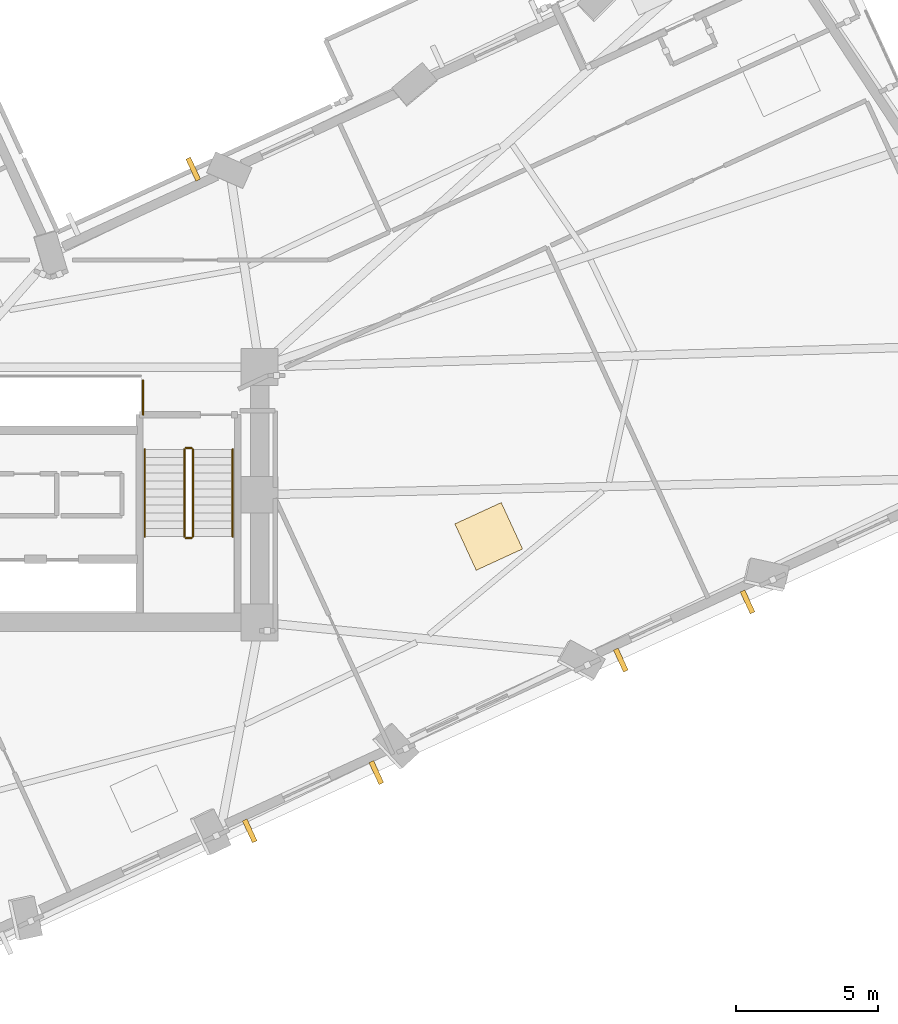
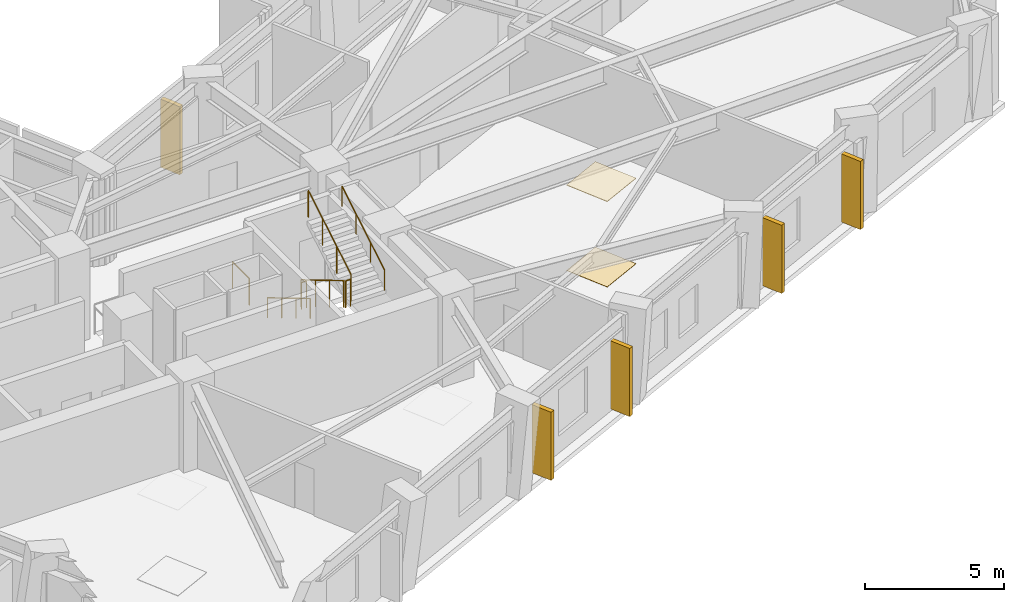
# One storey, part 13 of 16: 7 railings, 5 shading devices, 2 coverings.
"""IFC4 building model written with IfcOpenShell, lengths in metres."""

import ifcopenshell
import ifcopenshell.guid

model = None  # the IFC model being written
_history = None  # IfcOwnerHistory: only IFC2X3 demands one
_inside = {}  # id of a spatial element -> (the spatial element, [elements in it])
_under = {}  # id of a project, library or spatial element -> (it, [spatial elements below it])
_declared = {}  # id of a project -> (the project, [libraries it declares])
_typed = {}  # id of a type object -> (the type object, [elements of that type])
_made_of = {}  # id of a material, layer set ... -> (it, [elements and type objects made of it])


def new_model(schema):
    """Start an empty IFC model of exactly this schema.

    Asked for "IFC4X3", IfcOpenShell would pick the latest addendum, in which some entities
    have other attributes; the version numbers below select the first issue.
    IFC2X3 requires an IfcOwnerHistory on every rooted entity: one is made here for all.
    """
    global model, _history
    if schema == "IFC4X3":
        model = ifcopenshell.file(schema_version=(4, 3, 0, 0))
    else:
        model = ifcopenshell.file(schema=schema)
    _inside.clear()
    _under.clear()
    _declared.clear()
    _typed.clear()
    _made_of.clear()
    _history = None
    if model.schema == "IFC2X3":
        org = make("IfcOrganization", Name="unknown")
        user = make(
            "IfcPersonAndOrganization",
            ThePerson=make("IfcPerson", FamilyName="unknown"),
            TheOrganization=org,
        )
        app = make(
            "IfcApplication",
            ApplicationDeveloper=org,
            Version="unknown",
            ApplicationFullName="unknown",
            ApplicationIdentifier="unknown",
        )
        _history = make(
            "IfcOwnerHistory",
            OwningUser=user,
            OwningApplication=app,
            ChangeAction="ADDED",
            CreationDate=0,
        )
    return model


def make(cls, **values):
    """One entity of the class cls with the attributes given. An attribute that is None is left unset."""
    return model.create_entity(
        cls, **{name: value for name, value in values.items() if value is not None}
    )


def rooted(cls, **values):
    """An entity with a GlobalId (a new one), such as an element, a storey or a relation."""
    return make(cls, GlobalId=ifcopenshell.guid.new(), OwnerHistory=_history, **values)


def si_unit(unit_type, name, prefix=None):
    """IfcSIUnit, for example si_unit("LENGTHUNIT", "METRE", prefix="MILLI")."""
    return make("IfcSIUnit", UnitType=unit_type, Prefix=prefix, Name=name)


def assignment(units):
    """IfcUnitAssignment: the units of a project."""
    return None if units is None else make("IfcUnitAssignment", Units=units)


def point(xyz):
    """IfcCartesianPoint."""
    return None if xyz is None else make("IfcCartesianPoint", Coordinates=xyz)


def direction(xyz):
    """IfcDirection."""
    return None if xyz is None else make("IfcDirection", DirectionRatios=xyz)


def frame(location, z_axis=None, x_axis=None):
    """IfcAxis2Placement3D, a coordinate frame: its origin and axes. An axis left out is left unset."""
    return make(
        "IfcAxis2Placement3D",
        Location=point(location),
        Axis=direction(z_axis),
        RefDirection=direction(x_axis),
    )


def frame_2d(location, x_axis=None):
    """IfcAxis2Placement2D, a coordinate frame in the plane: its origin and x axis."""
    return make(
        "IfcAxis2Placement2D", Location=point(location), RefDirection=direction(x_axis)
    )


def origin():
    """The frame at (0, 0, 0) with its axes left unset."""
    return frame((0.0, 0.0, 0.0))


def origin_2d():
    """The frame at (0, 0) in the plane with its x axis left unset."""
    return frame_2d((0.0, 0.0))


def place(relative_to, where):
    """IfcLocalPlacement: puts the frame where relative to a parent placement (None: the world)."""
    return make(
        "IfcLocalPlacement", PlacementRelTo=relative_to, RelativePlacement=where
    )


def context(
    kind, dimensions, precision=None, world=None, true_north=None, identifier=None
):
    """IfcGeometricRepresentationContext, for example the 3D "Model" context."""
    return make(
        "IfcGeometricRepresentationContext",
        ContextIdentifier=identifier,
        ContextType=kind,
        CoordinateSpaceDimension=dimensions,
        Precision=precision,
        WorldCoordinateSystem=world,
        TrueNorth=true_north,
    )


def subcontext(parent, identifier, kind, view, scale=None):
    """IfcGeometricRepresentationSubContext, for example "Body" below "Model"."""
    return make(
        "IfcGeometricRepresentationSubContext",
        ContextIdentifier=identifier,
        ContextType=kind,
        ParentContext=parent,
        TargetScale=scale,
        TargetView=view,
    )


def project(units=None, contexts=None):
    """IfcProject with its units and contexts."""
    return rooted(
        "IfcProject",
        Name="project",
        RepresentationContexts=contexts,
        UnitsInContext=assignment(units),
    )


def spatial(cls, under=None, at=None, **own):
    """A site, building, storey or space (cls), placed at a placement, below another one or the project."""
    s = rooted(cls, ObjectPlacement=at, **own)
    if under is not None:
        _under.setdefault(under.id(), (under, []))[1].append(s)
    return s


def profile(cls, at=None, kind="AREA", **sizes):
    """A parametric profile (cls). Its sizes go by their IFC names, for example OverallWidth=200.0."""
    return make(cls, ProfileType=kind, Position=at, **sizes)


def rectangle(**sizes):
    """IfcRectangleProfileDef."""
    return profile("IfcRectangleProfileDef", **sizes)


def circle(**sizes):
    """IfcCircleProfileDef."""
    return profile("IfcCircleProfileDef", **sizes)


def extrude(swept, where, along, depth):
    """IfcExtrudedAreaSolid: the profile swept, set in the frame where, extruded along a direction by depth."""
    return make(
        "IfcExtrudedAreaSolid",
        SweptArea=swept,
        Position=where,
        ExtrudedDirection=direction(along),
        Depth=depth,
    )


def shape(context_of_items, identifier, shape_type, items):
    """IfcShapeRepresentation: the items that make up one representation, for example the "Body"."""
    return make(
        "IfcShapeRepresentation",
        ContextOfItems=context_of_items,
        RepresentationIdentifier=identifier,
        RepresentationType=shape_type,
        Items=items,
    )


def material(Name=None, Category=None):
    """IfcMaterial."""
    return make("IfcMaterial", Name=Name, Category=Category)


def layer(
    of_material, thickness, ventilated=None, Name=None, Category=None, Priority=None
):
    """IfcMaterialLayer: one layer of a wall or slab, of a material (None: an air gap)."""
    return make(
        "IfcMaterialLayer",
        Material=of_material,
        LayerThickness=thickness,
        IsVentilated=ventilated,
        Name=Name,
        Category=Category,
        Priority=Priority,
    )


def layer_set(layers, Name=None):
    """IfcMaterialLayerSet."""
    return make("IfcMaterialLayerSet", MaterialLayers=layers, LayerSetName=Name)


def made_of(thing, what):
    """Note that an element or type object is made of a material, layer set ...; save() writes the relation."""
    if what is not None:
        _made_of.setdefault(what.id(), (what, []))[1].append(thing)
    return thing


def type_object(cls, material=None, **own):
    """A type object (cls), such as IfcWallType, which elements share."""
    return made_of(rooted(cls, **own), material)


def element(
    cls,
    number,
    at=None,
    inside=None,
    cuts=None,
    type_object=None,
    material=None,
    context=None,
    identifier="Body",
    shape_type=None,
    held_by="IfcProductDefinitionShape",
    body=None,
    shapes=None,
    **own,
):
    """One element of the class cls, such as IfcWall. Its Tag is "e" and its number.

    at: its placement. inside: the storey or other place that contains it. cuts: it is an
    opening in that element (IfcRelVoidsElement). A single representation is given by context,
    identifier, shape_type and body (its items); several are given by shapes. held_by: the class
    of the entity that holds the representations. save() writes the other relations.
    """
    e = rooted(cls, Tag="e%d" % number, ObjectPlacement=at, **own)
    if body is not None:
        shapes = [shape(context, identifier, shape_type, body)]
    if shapes is not None:
        e.Representation = make(held_by, Representations=shapes)
    if inside is not None:
        _inside.setdefault(inside.id(), (inside, []))[1].append(e)
    if cuts is not None:
        rooted(
            "IfcRelVoidsElement", RelatingBuildingElement=cuts, RelatedOpeningElement=e
        )
    if type_object is not None:
        _typed.setdefault(type_object.id(), (type_object, []))[1].append(e)
    return made_of(e, material)


def aggregate(whole, parts):
    """IfcRelAggregates: a whole, such as a stair, and the parts it consists of."""
    return rooted("IfcRelAggregates", RelatingObject=whole, RelatedObjects=parts)


def save(model, path):
    """Write the relations noted so far, then the file.

    IfcRelAggregates (storeys below a building ...), IfcRelContainedInSpatialStructure (elements
    in a storey), IfcRelDefinesByType, IfcRelAssociatesMaterial and IfcRelDeclares: one each for
    every whole, place, type object, material and project.
    """
    for whole, parts in _under.values():
        aggregate(whole, parts)
    for where, things in _inside.values():
        rooted(
            "IfcRelContainedInSpatialStructure",
            RelatedElements=things,
            RelatingStructure=where,
        )
    for kind, things in _typed.values():
        rooted("IfcRelDefinesByType", RelatedObjects=things, RelatingType=kind)
    for what, things in _made_of.values():
        rooted("IfcRelAssociatesMaterial", RelatedObjects=things, RelatingMaterial=what)
    for by, libraries in _declared.values():
        rooted("IfcRelDeclares", RelatingContext=by, RelatedDefinitions=libraries)
    model.write(path)


model = new_model("IFC4")

# Units and contexts
model_context = context("Model", 3, precision=1e-05, world=origin(), true_north=direction((0.0, 1.0)))
body_context = subcontext(model_context, "Body", "Model", "MODEL_VIEW")
ifc_project = project(units=[si_unit("LENGTHUNIT", "METRE"), si_unit("AREAUNIT", "SQUARE_METRE"), si_unit("VOLUMEUNIT", "CUBIC_METRE"), si_unit("PLANEANGLEUNIT", "RADIAN"), si_unit("MASSUNIT", "GRAM", prefix="KILO")], contexts=[model_context])

# Site, building, storey
site_placement = place(None, origin())
site = spatial("IfcSite", under=ifc_project, at=site_placement, CompositionType="ELEMENT")
building_placement = place(site_placement, origin())
building = spatial("IfcBuilding", under=site, at=building_placement, Name="Gaonmaruhae Medical Tower", CompositionType="ELEMENT")
storey_placement = place(building_placement, frame((0.0, 0.0, 128.39990234375)))
storey = spatial("IfcBuildingStorey", under=building, at=storey_placement, Name="L30", CompositionType="ELEMENT", Elevation=128.39990234375)

# Coverings
ifc_material_1 = material(Name="Acoustic mineral ceiling tile", Category="finish")
ifc_layer_1 = layer(ifc_material_1, 0.02490234375)
ifc_layer_set_1 = layer_set([ifc_layer_1], Name="Acoustic mineral ceiling tile")
covering_type_1 = type_object("IfcCoveringType", Name="CLG-01 Antimicrobial Acoustic Mineral Ceiling", PredefinedType="CEILING", material=ifc_layer_set_1)
covering_1_placement = place(storey_placement, frame((43.680419921875, 10.82861328125, 3.755126953125), z_axis=(0.0, 0.0, 1.0), x_axis=(0.908508177527, 0.417867073801, 0.0)))
element("IfcCovering", 1, at=covering_1_placement, inside=storey, type_object=covering_type_1, Name="L30 Clinical Room Acoustic Ceiling 4", PredefinedType="CEILING", context=body_context, shape_type="SweptSolid", body=[
    extrude(rectangle(XDim=1.800048828125, YDim=1.800048828125, at=origin_2d()), origin(), (0.0, 0.0, 1.0), 0.02490234375),
])
ifc_material_2 = material(Name="Seamless clinical vinyl flooring", Category="finish")
ifc_layer_2 = layer(ifc_material_2, 0.014892578125)
ifc_layer_set_2 = layer_set([ifc_layer_2], Name="Seamless clinical vinyl flooring")
covering_type_2 = type_object("IfcCoveringType", Name="FLR-01 Seamless Clinical Antistatic Vinyl Flooring", PredefinedType="FLOORING", material=ifc_layer_set_2)
covering_2_placement = place(storey_placement, frame((43.680419921875, 10.82861328125, 0.0), z_axis=(0.0, 0.0, 1.0), x_axis=(0.908508177527, 0.417867073801, 0.0)))
element("IfcCovering", 2, at=covering_2_placement, inside=storey, type_object=covering_type_2, Name="L30 Clinical Room Vinyl Flooring 4", PredefinedType="FLOORING", context=body_context, shape_type="SweptSolid", body=[
    extrude(rectangle(XDim=1.800048828125, YDim=1.800048828125, at=origin_2d()), origin(), (0.0, 0.0, 1.0), 0.014892578125),
])

# Railings
ifc_material_3 = material(Name="Stainless steel 304 handrail", Category="steel")
railing_type_1 = type_object("IfcRailingType", Name="HR-092 Continuous Stainless Steel Stair Handrail", PredefinedType="HANDRAIL", material=ifc_material_3)
railing_1_placement = place(storey_placement, frame((31.550048828125, 13.89990234375, 0.166748046875)))
element("IfcRailing", 3, at=railing_1_placement, inside=storey, type_object=railing_type_1, Name="L30 ST-02 stair handrail 1", PredefinedType="HANDRAIL", context=body_context, shape_type="SweptSolid", body=[
    extrude(circle(Radius=0.02392578125, at=origin_2d()), frame((0.0, 0.0, 0.8759765625), z_axis=(0.0, -0.859290745958, 0.51148745235), x_axis=(1.0, 0.0, 0.0)), (0.0, 0.0, 1.0), 3.584228515625),
    extrude(circle(Radius=0.02099609375, at=origin_2d()), origin(), (0.0, 0.0, 1.0), 0.851806640625),
    extrude(circle(Radius=0.02099609375, at=origin_2d()), frame((0.0, -1.026611328125, 0.611083984375)), (0.0, 0.0, 1.0), 0.851806640625),
    extrude(circle(Radius=0.02099609375, at=origin_2d()), frame((0.0, -2.05322265625, 1.22216796875)), (0.0, 0.0, 1.0), 0.851806640625),
    extrude(circle(Radius=0.02099609375, at=origin_2d()), frame((0.0, -3.079833984375, 1.833251953125)), (0.0, 0.0, 1.0), 0.851806640625),
])
railing_2_placement = place(storey_placement, frame((34.64990234375, 10.820068359375, 2.166748046875)))
element("IfcRailing", 4, at=railing_2_placement, inside=storey, type_object=railing_type_1, Name="L30 ST-02 stair handrail 2", PredefinedType="HANDRAIL", context=body_context, shape_type="SweptSolid", body=[
    extrude(circle(Radius=0.02392578125, at=origin_2d()), frame((0.0, 0.0, 0.8759765625), z_axis=(0.0, 0.859290745958, 0.51148745235), x_axis=(-1.0, 0.0, 0.0)), (0.0, 0.0, 1.0), 3.584228515625),
    extrude(circle(Radius=0.02099609375, at=origin_2d()), origin(), (0.0, 0.0, 1.0), 0.851806640625),
    extrude(circle(Radius=0.02099609375, at=origin_2d()), frame((0.0, 1.026611328125, 0.611083984375)), (0.0, 0.0, 1.0), 0.851806640625),
    extrude(circle(Radius=0.02099609375, at=origin_2d()), frame((0.0, 2.05322265625, 1.22216796875)), (0.0, 0.0, 1.0), 0.851806640625),
    extrude(circle(Radius=0.02099609375, at=origin_2d()), frame((0.0, 3.079833984375, 1.833251953125)), (0.0, 0.0, 1.0), 0.851806640625),
])

# Shading devices
ifc_material_4 = material(Name="Pigmented coral precast concrete C45/55", Category="concrete")
shading_device_type = type_object("IfcShadingDeviceType", Name="SD-FIN1 Tower Vertical Coral Precast Shading Fin", PredefinedType="USERDEFINED", material=ifc_material_4)
for number, where, z_axis, x_axis, name in (
    (5, (39.716796875, 2.500732421875, 0.08251953125), (0.0, 0.0, 1.0), (-0.908500884232, -0.417882930196, 0.0), "L30 Vertical Coral Precast Shading Fin S03"),
    (6, (35.251953125, 0.447265625, 0.08251953125), (0.0, 0.0, 1.0), (-0.908500884232, -0.417882930196, 0.0), "L30 Vertical Coral Precast Shading Fin S03B"),
    (7, (52.806640625, 8.521484375, 0.08251953125), (0.0, 0.0, 1.0), (-0.908508177527, -0.417867073801, 0.0), "L30 Vertical Coral Precast Shading Fin S05"),
    (8, (48.33837890625, 6.46630859375, 0.08251953125), (0.0, 0.0, 1.0), (-0.908508177527, -0.417867073801, 0.0), "L30 Vertical Coral Precast Shading Fin S05B"),
    (9, (33.26025390625, 23.77978515625, 0.08251953125), (0.0, 0.0, 1.0), (0.908508177527, 0.417867073801, 0.0), "L30 Vertical Coral Precast Shading Fin EN03B"),
):
    element("IfcShadingDevice", number, at=place(storey_placement, frame(where, z_axis=z_axis, x_axis=x_axis)), inside=storey, type_object=shading_device_type, Name=name, ObjectType="FIN", PredefinedType="USERDEFINED", context=body_context, shape_type="SweptSolid", body=[
        extrude(rectangle(XDim=0.179931640625, YDim=0.85009765625, at=origin_2d()), origin(), (0.0, 0.0, 1.0), 3.0),
    ])

# Railings
ifc_material_5 = material(Name="Stainless steel 304 balustrade", Category="steel")
railing_type_2 = type_object("IfcRailingType", Name="SG-112 Stair Well & Ramp Void Safety Balustrade", PredefinedType="BALUSTRADE", material=ifc_material_5)
railing_3_placement = place(storey_placement, frame((32.949951171875, 13.89990234375, 0.166748046875)))
element("IfcRailing", 10, at=railing_3_placement, inside=storey, type_object=railing_type_2, Name="L30 ST-02 stair guard 1", PredefinedType="BALUSTRADE", context=body_context, shape_type="SweptSolid", body=[
    extrude(circle(Radius=0.02392578125, at=origin_2d()), frame((0.0, 0.0, 1.17578125), z_axis=(0.0, -0.859290745958, 0.51148745235), x_axis=(1.0, 0.0, 0.0)), (0.0, 0.0, 1.0), 3.584228515625),
    extrude(circle(Radius=0.02099609375, at=origin_2d()), origin(), (0.0, 0.0, 1.0), 1.15185546875),
    extrude(circle(Radius=0.02099609375, at=origin_2d()), frame((0.0, -1.026611328125, 0.611083984375)), (0.0, 0.0, 1.0), 1.15185546875),
    extrude(circle(Radius=0.02099609375, at=origin_2d()), frame((0.0, -2.05322265625, 1.22216796875)), (0.0, 0.0, 1.0), 1.15185546875),
    extrude(circle(Radius=0.02099609375, at=origin_2d()), frame((0.0, -3.079833984375, 1.833251953125)), (0.0, 0.0, 1.0), 1.15185546875),
])
railing_4_placement = place(storey_placement, frame((33.0, 10.77001953125, 2.0)))
element("IfcRailing", 11, at=railing_4_placement, inside=storey, type_object=railing_type_2, Name="L30 ST-02 stair guard 2", PredefinedType="BALUSTRADE", context=body_context, shape_type="SweptSolid", body=[
    extrude(circle(Radius=0.02392578125, at=origin_2d()), frame((0.0, 0.0, 1.17578125), z_axis=(1.0, 0.0, 0.0), x_axis=(0.0, 1.0, 0.0)), (0.0, 0.0, 1.0), 0.199951171875),
    extrude(circle(Radius=0.02099609375, at=origin_2d()), origin(), (0.0, 0.0, 1.0), 1.15185546875),
    extrude(circle(Radius=0.02099609375, at=origin_2d()), frame((0.199951171875, 0.0, 0.0)), (0.0, 0.0, 1.0), 1.15185546875),
])
railing_5_placement = place(storey_placement, frame((33.25, 10.820068359375, 2.166748046875)))
element("IfcRailing", 12, at=railing_5_placement, inside=storey, type_object=railing_type_2, Name="L30 ST-02 stair guard 3", PredefinedType="BALUSTRADE", context=body_context, shape_type="SweptSolid", body=[
    extrude(circle(Radius=0.02392578125, at=origin_2d()), frame((0.0, 0.0, 1.17578125), z_axis=(0.0, 0.859290745958, 0.51148745235), x_axis=(-1.0, 0.0, 0.0)), (0.0, 0.0, 1.0), 3.584228515625),
    extrude(circle(Radius=0.02099609375, at=origin_2d()), origin(), (0.0, 0.0, 1.0), 1.15185546875),
    extrude(circle(Radius=0.02099609375, at=origin_2d()), frame((0.0, 1.026611328125, 0.611083984375)), (0.0, 0.0, 1.0), 1.15185546875),
    extrude(circle(Radius=0.02099609375, at=origin_2d()), frame((0.0, 2.05322265625, 1.22216796875)), (0.0, 0.0, 1.0), 1.15185546875),
    extrude(circle(Radius=0.02099609375, at=origin_2d()), frame((0.0, 3.079833984375, 1.833251953125)), (0.0, 0.0, 1.0), 1.15185546875),
])
railing_6_placement = place(storey_placement, frame((33.0, 13.949951171875, 0.0)))
element("IfcRailing", 13, at=railing_6_placement, inside=storey, type_object=railing_type_2, Name="L30 ST-02 stair guard 4", PredefinedType="BALUSTRADE", context=body_context, shape_type="SweptSolid", body=[
    extrude(circle(Radius=0.02392578125, at=origin_2d()), frame((0.0, 0.0, 1.17578125), z_axis=(1.0, 0.0, 0.0), x_axis=(0.0, 1.0, 0.0)), (0.0, 0.0, 1.0), 0.199951171875),
    extrude(circle(Radius=0.02099609375, at=origin_2d()), origin(), (0.0, 0.0, 1.0), 1.15185546875),
    extrude(circle(Radius=0.02099609375, at=origin_2d()), frame((0.199951171875, 0.0, 0.0)), (0.0, 0.0, 1.0), 1.15185546875),
])
railing_7_placement = place(storey_placement, frame((31.4951171875, 16.330078125, 0.0)))
element("IfcRailing", 14, at=railing_7_placement, inside=storey, type_object=railing_type_2, Name="L30 Shaft Edge Safety Guard 08", PredefinedType="BALUSTRADE", context=body_context, shape_type="SweptSolid", body=[
    extrude(circle(Radius=0.02392578125, at=origin_2d()), frame((0.0, 0.0, 1.17578125), z_axis=(0.0, -1.0, 0.0), x_axis=(1.0, 0.0, 0.0)), (0.0, 0.0, 1.0), 1.2099609375),
    extrude(circle(Radius=0.02099609375, at=origin_2d()), origin(), (0.0, 0.0, 1.0), 1.15185546875),
    extrude(circle(Radius=0.02099609375, at=origin_2d()), frame((0.0, -1.2099609375, 0.0)), (0.0, 0.0, 1.0), 1.15185546875),
])

save(model, "model.ifc")
